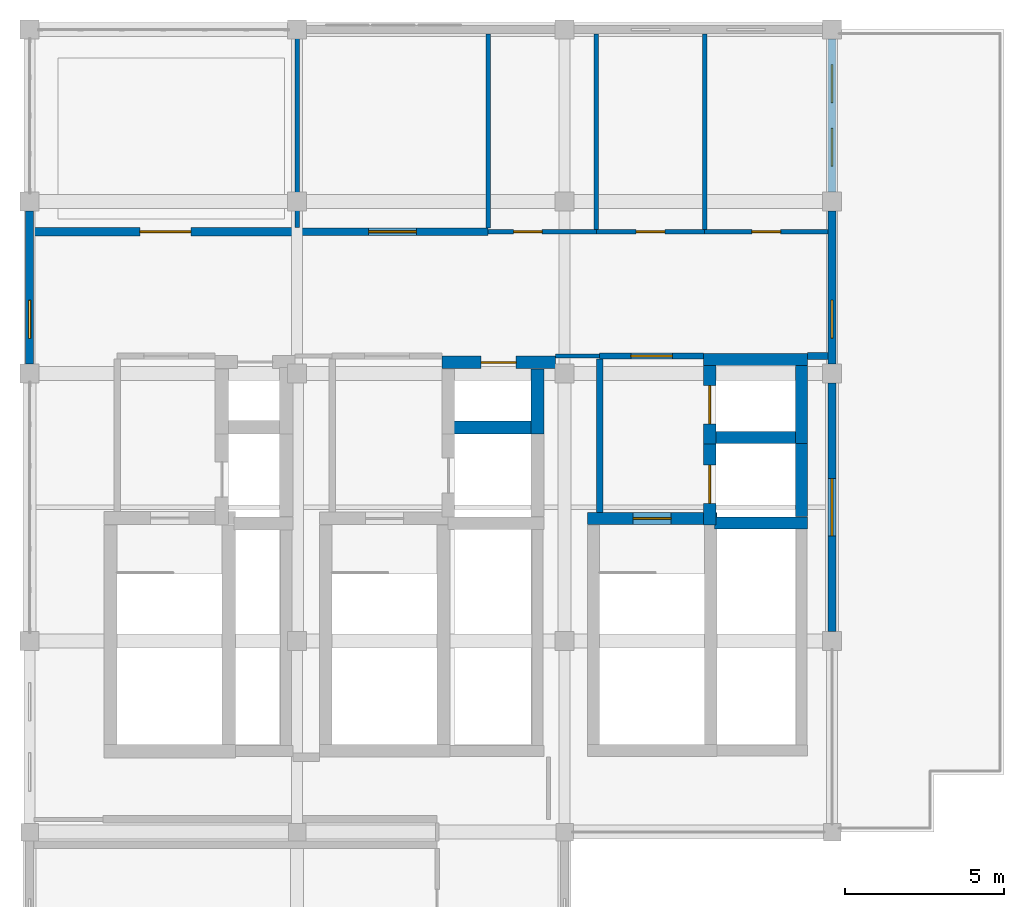
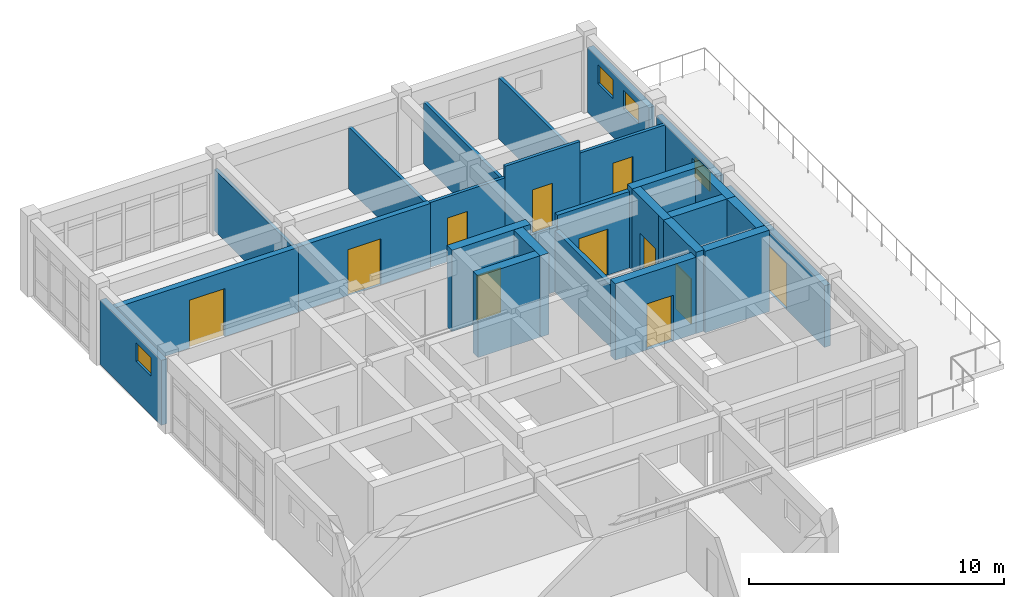
# One storey, part 15 of 17: 28 walls, 11 doors, 4 windows, 15 openings.
"""IFC4 building model written with IfcOpenShell, lengths in metres."""

from ifc_helpers import new_model, si_unit, direction, frame, frame_2d, origin, place, context, subcontext, project, spatial, rectangle, extrude, material, layer, layer_set, type_object, element, fill, save


model = new_model("IFC4")

# Units and contexts
model_context = context("Model", 3, precision=1e-05, world=origin(), true_north=direction((0.0, 1.0)))
body_context = subcontext(model_context, "Body", "Model", "MODEL_VIEW")
ifc_project = project(units=[si_unit("LENGTHUNIT", "METRE"), si_unit("AREAUNIT", "SQUARE_METRE"), si_unit("VOLUMEUNIT", "CUBIC_METRE"), si_unit("PLANEANGLEUNIT", "RADIAN"), si_unit("MASSUNIT", "GRAM", prefix="KILO")], contexts=[model_context])

# Site, building, storey
site_placement = place(None, origin())
site = spatial("IfcSite", under=ifc_project, at=site_placement, CompositionType="ELEMENT")
building_placement = place(site_placement, origin())
building = spatial("IfcBuilding", under=site, at=building_placement, Name="Krzemoval Escarpment Law Courts", CompositionType="ELEMENT")
storey_placement = place(building_placement, frame((0.0, 0.0, 42.0)))
storey = spatial("IfcBuildingStorey", under=building, at=storey_placement, Name="L09", CompositionType="ELEMENT", Elevation=42.0)

# Wall, opening, window
ifc_material_1 = material(Name="Precast concrete C40/50", Category="concrete")
ifc_layer_1 = layer(ifc_material_1, 0.260009765625)
ifc_layer_set_1 = layer_set([ifc_layer_1], Name="Precast concrete C40/50")
wall_type_1 = type_object("IfcWallType", Name="WL-EXT-260", PredefinedType="SOLIDWALL", material=ifc_layer_set_1)
wall_1_placement = place(storey_placement, frame((126.0, 108.300048828125, 0.0), z_axis=(0.0, 0.0, 1.0), x_axis=(0.0, 1.0, 0.0)))
wall_1 = element("IfcWall", 1, at=wall_1_placement, inside=storey, type_object=wall_type_1, Name="Exterior Wall EW-L09-0481", PredefinedType="SOLIDWALL", context=body_context, shape_type="SweptSolid", body=[
    extrude(rectangle(XDim=4.800048828125, YDim=0.260009765625, at=frame_2d((2.39990234375, 0.0))), origin(), (0.0, 0.0, 1.0), 3.110107421875),
])
opening_1_placement = place(wall_1_placement, frame((0.800048828125, 0.0, 1.860107421875)))
opening_1 = element("IfcOpeningElement", 2, at=opening_1_placement, cuts=wall_1, Name="Opening WN-L09-0566", PredefinedType="OPENING", context=body_context, shape_type="SweptSolid", body=[
    extrude(rectangle(XDim=1.199951171875, YDim=0.89990234375, at=frame_2d((0.60009765625, 0.449951171875))), frame((0.0, 0.145, 0.0), z_axis=(0.0, -1.0, 0.0), x_axis=(1.0, 0.0, 0.0)), (0.0, 0.0, 1.0), 0.29001),
])
ifc_material_2 = material(Name="Thermally Broken Aluminium Frame with Triple Low-E Acoustic Glass", Category="aluminium")
window_type = type_object("IfcWindowType", Name="WN-1200x900", PartitioningType="SINGLE_PANEL", PredefinedType="WINDOW", material=ifc_material_2)
window_1_placement = place(opening_1_placement, origin())
window_1 = element("IfcWindow", 3, at=window_1_placement, inside=storey, type_object=window_type, Name="Facade Window WN-L09-0566", OverallHeight=0.89990234375, OverallWidth=1.199951171875, PartitioningType="SINGLE_PANEL", PredefinedType="WINDOW", context=body_context, shape_type="SweptSolid", body=[
    extrude(rectangle(XDim=1.199951171875, YDim=0.89990234375, at=frame_2d((0.60009765625, 0.449951171875))), frame((0.0, 0.030029296875, 0.0), z_axis=(0.0, -1.0, 0.0), x_axis=(1.0, 0.0, 0.0)), (0.0, 0.0, 1.0), 0.06005859375),
])
fill(opening_1, window_1)

# Wall, openings, windows
wall_2_placement = place(storey_placement, frame((151.199951171875, 118.5, 0.0), z_axis=(0.0, 0.0, 1.0), x_axis=(0.0, -1.0, 0.0)))
wall_2 = element("IfcWall", 4, at=wall_2_placement, inside=storey, type_object=wall_type_1, Name="Exterior Wall EW-L09-0484", PredefinedType="SOLIDWALL", context=body_context, shape_type="SweptSolid", body=[
    extrude(rectangle(XDim=4.800048828125, YDim=0.260009765625, at=frame_2d((2.39990234375, 0.0))), origin(), (0.0, 0.0, 1.0), 3.110107421875),
])
opening_2_placement = place(wall_2_placement, frame((0.800048828125, 0.0, 1.860107421875)))
opening_2 = element("IfcOpeningElement", 5, at=opening_2_placement, cuts=wall_2, Name="Opening WN-L09-0569", PredefinedType="OPENING", context=body_context, shape_type="SweptSolid", body=[
    extrude(rectangle(XDim=1.199951171875, YDim=0.89990234375, at=frame_2d((0.60009765625, 0.449951171875))), frame((0.0, 0.145, 0.0), z_axis=(0.0, -1.0, 0.0), x_axis=(1.0, 0.0, 0.0)), (0.0, 0.0, 1.0), 0.29001),
])
opening_3_placement = place(wall_2_placement, frame((2.800048828125, 0.0, 1.860107421875)))
opening_3 = element("IfcOpeningElement", 6, at=opening_3_placement, cuts=wall_2, Name="Opening WN-L09-0570", PredefinedType="OPENING", context=body_context, shape_type="SweptSolid", body=[
    extrude(rectangle(XDim=1.199951171875, YDim=0.89990234375, at=frame_2d((0.60009765625, 0.449951171875))), frame((0.0, 0.145, 0.0), z_axis=(0.0, -1.0, 0.0), x_axis=(1.0, 0.0, 0.0)), (0.0, 0.0, 1.0), 0.29001),
])
window_2_placement = place(opening_2_placement, origin())
window_2 = element("IfcWindow", 7, at=window_2_placement, inside=storey, type_object=window_type, Name="Facade Window WN-L09-0569", OverallHeight=0.89990234375, OverallWidth=1.199951171875, PartitioningType="SINGLE_PANEL", PredefinedType="WINDOW", context=body_context, shape_type="SweptSolid", body=[
    extrude(rectangle(XDim=1.199951171875, YDim=0.89990234375, at=frame_2d((0.60009765625, 0.449951171875))), frame((0.0, 0.030029296875, 0.0), z_axis=(0.0, -1.0, 0.0), x_axis=(1.0, 0.0, 0.0)), (0.0, 0.0, 1.0), 0.06005859375),
])
fill(opening_2, window_2)
window_3_placement = place(opening_3_placement, origin())
window_3 = element("IfcWindow", 8, at=window_3_placement, inside=storey, type_object=window_type, Name="Facade Window WN-L09-0570", OverallHeight=0.89990234375, OverallWidth=1.199951171875, PartitioningType="SINGLE_PANEL", PredefinedType="WINDOW", context=body_context, shape_type="SweptSolid", body=[
    extrude(rectangle(XDim=1.199951171875, YDim=0.89990234375, at=frame_2d((0.60009765625, 0.449951171875))), frame((0.0, 0.030029296875, 0.0), z_axis=(0.0, -1.0, 0.0), x_axis=(1.0, 0.0, 0.0)), (0.0, 0.0, 1.0), 0.06005859375),
])
fill(opening_3, window_3)

# Wall, opening, window
wall_3_placement = place(storey_placement, frame((151.199951171875, 113.10009765625, 0.0), z_axis=(0.0, 0.0, 1.0), x_axis=(0.0, -1.0, 0.0)))
wall_3 = element("IfcWall", 9, at=wall_3_placement, inside=storey, type_object=wall_type_1, Name="Exterior Wall EW-L09-0485", PredefinedType="SOLIDWALL", context=body_context, shape_type="SweptSolid", body=[
    extrude(rectangle(XDim=4.800048828125, YDim=0.260009765625, at=frame_2d((2.39990234375, 0.0))), origin(), (0.0, 0.0, 1.0), 3.110107421875),
])
opening_4_placement = place(wall_3_placement, frame((2.800048828125, 0.0, 1.860107421875)))
opening_4 = element("IfcOpeningElement", 10, at=opening_4_placement, cuts=wall_3, Name="Opening WN-L09-0571", PredefinedType="OPENING", context=body_context, shape_type="SweptSolid", body=[
    extrude(rectangle(XDim=1.199951171875, YDim=0.89990234375, at=frame_2d((0.60009765625, 0.449951171875))), frame((0.0, 0.145, 0.0), z_axis=(0.0, -1.0, 0.0), x_axis=(1.0, 0.0, 0.0)), (0.0, 0.0, 1.0), 0.29001),
])
window_4_placement = place(opening_4_placement, origin())
window_4 = element("IfcWindow", 11, at=window_4_placement, inside=storey, type_object=window_type, Name="Facade Window WN-L09-0571", OverallHeight=0.89990234375, OverallWidth=1.199951171875, PartitioningType="SINGLE_PANEL", PredefinedType="WINDOW", context=body_context, shape_type="SweptSolid", body=[
    extrude(rectangle(XDim=1.199951171875, YDim=0.89990234375, at=frame_2d((0.60009765625, 0.449951171875))), frame((0.0, 0.030029296875, 0.0), z_axis=(0.0, -1.0, 0.0), x_axis=(1.0, 0.0, 0.0)), (0.0, 0.0, 1.0), 0.06005859375),
])
fill(opening_4, window_4)

# Wall, opening, door
wall_4_placement = place(storey_placement, frame((151.199951171875, 107.699951171875, 0.0), z_axis=(0.0, 0.0, 1.0), x_axis=(0.0, -1.0, 0.0)))
wall_4 = element("IfcWall", 12, at=wall_4_placement, inside=storey, type_object=wall_type_1, Name="Exterior Wall EW-L09-0486", PredefinedType="SOLIDWALL", context=body_context, shape_type="SweptSolid", body=[
    extrude(rectangle(XDim=7.800048828125, YDim=0.260009765625, at=frame_2d((3.89990234375, 0.0))), origin(), (0.0, 0.0, 1.0), 2.9599609375),
])
opening_5_placement = place(wall_4_placement, frame((3.0, 0.0, 0.0)))
opening_5 = element("IfcOpeningElement", 13, at=opening_5_placement, cuts=wall_4, Name="Opening TD-L09-27", PredefinedType="OPENING", context=body_context, shape_type="SweptSolid", body=[
    extrude(rectangle(XDim=1.800048828125, YDim=2.199951171875, at=frame_2d((0.89990234375, 1.10009765625))), frame((0.0, 0.145, 0.0), z_axis=(0.0, -1.0, 0.0), x_axis=(1.0, 0.0, 0.0)), (0.0, 0.0, 1.0), 0.29001),
])
ifc_material_3 = material(Name="Thermally Broken Aluminium and Laminated Safety Glass", Category="aluminium")
door_type_1 = type_object("IfcDoorType", Name="DR-TER-1800x2200", OperationType="SINGLE_SWING_LEFT", PredefinedType="DOOR", material=ifc_material_3)
door_1_placement = place(opening_5_placement, origin())
door_1 = element("IfcDoor", 14, at=door_1_placement, inside=storey, type_object=door_type_1, Name="Terrace Access Door TD-L09-27", OperationType="DOUBLE_DOOR_SINGLE_SWING", OverallHeight=2.199951171875, OverallWidth=1.800048828125, PredefinedType="DOOR", context=body_context, shape_type="SweptSolid", body=[
    extrude(rectangle(XDim=1.800048828125, YDim=2.199951171875, at=frame_2d((0.89990234375, 1.10009765625))), frame((0.0, 0.02490234375, 0.0), z_axis=(0.0, -1.0, 0.0), x_axis=(1.0, 0.0, 0.0)), (0.0, 0.0, 1.0), 0.050048828125),
])
fill(opening_5, door_1)

# Wall
ifc_material_4 = material(Name="Light Internal Subdivision Partition", Category="gypsum")
ifc_layer_2 = layer(ifc_material_4, 0.114990234375)
ifc_layer_set_2 = layer_set([ifc_layer_2], Name="Light Internal Subdivision Partition")
wall_type_2 = type_object("IfcWallType", Name="WL-PRT-115", PredefinedType="PARTITIONING", material=ifc_layer_set_2)
wall_5_placement = place(storey_placement, frame((142.509033203125, 108.550048828125, 0.0), z_axis=(0.0, 0.0, 1.0), x_axis=(1.0, 0.0, 0.0)))
element("IfcWall", 15, at=wall_5_placement, inside=storey, type_object=wall_type_2, Name="Interior Partition PW-L09-0750", PredefinedType="PARTITIONING", context=body_context, shape_type="SweptSolid", body=[
    extrude(rectangle(XDim=1.390869140625, YDim=0.114990234375, at=frame_2d((0.6953125, 0.0))), origin(), (0.0, 0.0, 1.0), 3.110107421875),
])

# Wall, opening, door
ifc_material_5 = material(Name="Sanitary Moisture-Resistant Partition", Category="gypsum")
ifc_layer_3 = layer(ifc_material_5, 0.139892578125)
ifc_layer_set_3 = layer_set([ifc_layer_3], Name="Sanitary Moisture-Resistant Partition")
wall_type_3 = type_object("IfcWallType", Name="WL-PRT-140", PredefinedType="PARTITIONING", material=ifc_layer_set_3)
wall_6_placement = place(storey_placement, frame((140.39990234375, 112.449951171875, 0.0), z_axis=(0.0, 0.0, 1.0), x_axis=(1.0, 0.0, 0.0)))
wall_6 = element("IfcWall", 16, at=wall_6_placement, inside=storey, type_object=wall_type_3, Name="Interior Partition PW-L09-0754", PredefinedType="PARTITIONING", context=body_context, shape_type="SweptSolid", body=[
    extrude(rectangle(XDim=3.400146484375, YDim=0.139892578125, at=frame_2d((1.7001953125, 0.0))), origin(), (0.0, 0.0, 1.0), 3.110107421875),
])
opening_6_placement = place(wall_6_placement, frame((0.800048828125, 0.0, 0.0)))
opening_6 = element("IfcOpeningElement", 17, at=opening_6_placement, cuts=wall_6, Name="Opening D-L09-0268", PredefinedType="OPENING", context=body_context, shape_type="SweptSolid", body=[
    extrude(rectangle(XDim=0.89990234375, YDim=2.10009765625, at=frame_2d((0.449951171875, 1.050048828125))), frame((0.0, 0.08495, 0.0), z_axis=(0.0, -1.0, 0.0), x_axis=(1.0, 0.0, 0.0)), (0.0, 0.0, 1.0), 0.16989),
])
ifc_material_6 = material(Name="Engineered Solid-Core Oak Acoustic Timber", Category="wood")
door_type_2 = type_object("IfcDoorType", Name="DR-INT-900x2100", OperationType="SINGLE_SWING_LEFT", PredefinedType="DOOR", material=ifc_material_6)
door_2_placement = place(opening_6_placement, origin())
door_2 = element("IfcDoor", 18, at=door_2_placement, inside=storey, type_object=door_type_2, Name="Room Door D-L09-0268", OperationType="SINGLE_SWING_LEFT", OverallHeight=2.10009765625, OverallWidth=0.89990234375, PredefinedType="DOOR", context=body_context, shape_type="SweptSolid", body=[
    extrude(rectangle(XDim=0.89990234375, YDim=2.10009765625, at=frame_2d((0.449951171875, 1.050048828125))), frame((0.0, 0.02490234375, 0.0), z_axis=(0.0, -1.0, 0.0), x_axis=(1.0, 0.0, 0.0)), (0.0, 0.0, 1.0), 0.050048828125),
])
fill(opening_6, door_2)

wall_7_placement = place(storey_placement, frame((143.800048828125, 112.449951171875, 0.0), z_axis=(0.0, 0.0, 1.0), x_axis=(1.0, 0.0, 0.0)))
wall_7 = element("IfcWall", 19, at=wall_7_placement, inside=storey, type_object=wall_type_3, Name="Interior Partition PW-L09-0755", PredefinedType="PARTITIONING", context=body_context, shape_type="SweptSolid", body=[
    extrude(rectangle(XDim=3.39990234375, YDim=0.139892578125, at=frame_2d((1.699951171875, 0.0))), origin(), (0.0, 0.0, 1.0), 3.659912109375),
])
opening_7_placement = place(wall_7_placement, frame((1.25, 0.0, 0.0)))
opening_7 = element("IfcOpeningElement", 20, at=opening_7_placement, cuts=wall_7, Name="Opening D-L09-0269", PredefinedType="OPENING", context=body_context, shape_type="SweptSolid", body=[
    extrude(rectangle(XDim=0.89990234375, YDim=2.10009765625, at=frame_2d((0.449951171875, 1.050048828125))), frame((0.0, 0.08495, 0.0), z_axis=(0.0, -1.0, 0.0), x_axis=(1.0, 0.0, 0.0)), (0.0, 0.0, 1.0), 0.16989),
])
door_3_placement = place(opening_7_placement, origin())
door_3 = element("IfcDoor", 21, at=door_3_placement, inside=storey, type_object=door_type_2, Name="Room Door D-L09-0269", OperationType="SINGLE_SWING_RIGHT", OverallHeight=2.10009765625, OverallWidth=0.89990234375, PredefinedType="DOOR", context=body_context, shape_type="SweptSolid", body=[
    extrude(rectangle(XDim=0.89990234375, YDim=2.10009765625, at=frame_2d((0.449951171875, 1.050048828125))), frame((0.0, 0.02490234375, 0.0), z_axis=(0.0, -1.0, 0.0), x_axis=(1.0, 0.0, 0.0)), (0.0, 0.0, 1.0), 0.050048828125),
])
fill(opening_7, door_3)

wall_8_placement = place(storey_placement, frame((147.199951171875, 112.449951171875, 0.0), z_axis=(0.0, 0.0, 1.0), x_axis=(1.0, 0.0, 0.0)))
wall_8 = element("IfcWall", 22, at=wall_8_placement, inside=storey, type_object=wall_type_3, Name="Interior Partition PW-L09-0756", PredefinedType="PARTITIONING", context=body_context, shape_type="SweptSolid", body=[
    extrude(rectangle(XDim=3.8681640625, YDim=0.139892578125, at=frame_2d((1.93408203125, 0.0))), origin(), (0.0, 0.0, 1.0), 3.110107421875),
])
opening_8_placement = place(wall_8_placement, frame((1.48388671875, 0.0, 0.0)))
opening_8 = element("IfcOpeningElement", 23, at=opening_8_placement, cuts=wall_8, Name="Opening D-L09-0270", PredefinedType="OPENING", context=body_context, shape_type="SweptSolid", body=[
    extrude(rectangle(XDim=0.89990234375, YDim=2.10009765625, at=frame_2d((0.449951171875, 1.050048828125))), frame((0.0, 0.08495, 0.0), z_axis=(0.0, -1.0, 0.0), x_axis=(1.0, 0.0, 0.0)), (0.0, 0.0, 1.0), 0.16989),
])
door_4_placement = place(opening_8_placement, origin())
door_4 = element("IfcDoor", 24, at=door_4_placement, inside=storey, type_object=door_type_2, Name="Room Door D-L09-0270", OperationType="SINGLE_SWING_LEFT", OverallHeight=2.10009765625, OverallWidth=0.89990234375, PredefinedType="DOOR", context=body_context, shape_type="SweptSolid", body=[
    extrude(rectangle(XDim=0.89990234375, YDim=2.10009765625, at=frame_2d((0.449951171875, 1.050048828125))), frame((0.0, 0.02490234375, 0.0), z_axis=(0.0, -1.0, 0.0), x_axis=(1.0, 0.0, 0.0)), (0.0, 0.0, 1.0), 0.050048828125),
])
fill(opening_8, door_4)

# Walls
wall_9_placement = place(storey_placement, frame((134.39990234375, 112.58203125, 0.0), z_axis=(0.0, 0.0, 1.0), x_axis=(0.0, 1.0, 0.0)))
element("IfcWall", 25, at=wall_9_placement, inside=storey, type_object=wall_type_3, Name="Interior Partition PW-L09-0758", PredefinedType="PARTITIONING", context=body_context, shape_type="SweptSolid", body=[
    extrude(rectangle(XDim=6.2060546875, YDim=0.139892578125, at=frame_2d((3.10302734375, 0.0))), origin(), (0.0, 0.0, 1.0), 2.9599609375),
])
wall_10_placement = place(storey_placement, frame((140.39990234375, 112.572021484375, 0.0), z_axis=(0.0, 0.0, 1.0), x_axis=(0.0, 1.0, 0.0)))
element("IfcWall", 26, at=wall_10_placement, inside=storey, type_object=wall_type_3, Name="Interior Partition PW-L09-0763", PredefinedType="PARTITIONING", context=body_context, shape_type="SweptSolid", body=[
    extrude(rectangle(XDim=6.095947265625, YDim=0.139892578125, at=frame_2d((3.0478515625, 0.0))), origin(), (0.0, 0.0, 1.0), 2.9599609375),
])
for number, where, z_axis, x_axis, name in (
    (27, (143.800048828125, 112.52197265625, 0.0), (0.0, 0.0, 1.0), (0.0, 1.0, 0.0), "Interior Partition PW-L09-0765"),
    (28, (147.199951171875, 112.52197265625, 0.0), (0.0, 0.0, 1.0), (0.0, 1.0, 0.0), "Interior Partition PW-L09-0767"),
):
    element("IfcWall", number, at=place(storey_placement, frame(where, z_axis=z_axis, x_axis=x_axis)), inside=storey, type_object=wall_type_3, Name=name, PredefinedType="PARTITIONING", context=body_context, shape_type="SweptSolid", body=[
        extrude(rectangle(XDim=6.14599609375, YDim=0.139892578125, at=frame_2d((3.072998046875, 0.0))), origin(), (0.0, 0.0, 1.0), 2.9599609375),
    ])

# Wall, opening, door
ifc_material_7 = material(Name="Fire-Rated Corridor Partition Wall", Category="gypsum")
ifc_layer_4 = layer(ifc_material_7, 0.199951171875)
ifc_layer_set_4 = layer_set([ifc_layer_4], Name="Fire-Rated Corridor Partition Wall")
wall_type_4 = type_object("IfcWallType", Name="WL-PRT-200", PredefinedType="PARTITIONING", material=ifc_layer_set_4)
wall_11_placement = place(storey_placement, frame((143.89990234375, 108.550048828125, 0.0), z_axis=(0.0, 0.0, 1.0), x_axis=(1.0, 0.0, 0.0)))
wall_11 = element("IfcWall", 29, at=wall_11_placement, inside=storey, type_object=wall_type_4, Name="Interior Partition PW-L09-0748", PredefinedType="PARTITIONING", context=body_context, shape_type="SweptSolid", body=[
    extrude(rectangle(XDim=3.27001953125, YDim=0.199951171875, at=frame_2d((1.635009765625, 0.0))), origin(), (0.0, 0.0, 1.0), 3.659912109375),
])
opening_9_placement = place(wall_11_placement, frame((0.985107421875, 0.0, 0.0)))
opening_9 = element("IfcOpeningElement", 30, at=opening_9_placement, cuts=wall_11, Name="Opening D-L09-0263", PredefinedType="OPENING", context=body_context, shape_type="SweptSolid", body=[
    extrude(rectangle(XDim=1.300048828125, YDim=2.199951171875, at=frame_2d((0.64990234375, 1.10009765625))), frame((0.0, 0.11498, 0.0), z_axis=(0.0, -1.0, 0.0), x_axis=(1.0, 0.0, 0.0)), (0.0, 0.0, 1.0), 0.22995),
])
ifc_material_8 = material(Name="Galvanised Steel S355", Category="steel")
door_type_3 = type_object("IfcDoorType", Name="DR-STR-1300x2200", OperationType="SINGLE_SWING_LEFT", PredefinedType="DOOR", material=ifc_material_8)
door_5_placement = place(opening_9_placement, origin())
door_5 = element("IfcDoor", 31, at=door_5_placement, inside=storey, type_object=door_type_3, Name="Room Door D-L09-0263", OperationType="SINGLE_SWING_RIGHT", OverallHeight=2.199951171875, OverallWidth=1.300048828125, PredefinedType="DOOR", context=body_context, shape_type="SweptSolid", body=[
    extrude(rectangle(XDim=1.300048828125, YDim=2.199951171875, at=frame_2d((0.64990234375, 1.10009765625))), frame((0.0, 0.02490234375, 0.0), z_axis=(0.0, -1.0, 0.0), x_axis=(1.0, 0.0, 0.0)), (0.0, 0.0, 1.0), 0.050048828125),
])
fill(opening_9, door_5)

# Walls
wall_12_placement = place(storey_placement, frame((143.89990234375, 103.632080078125, 0.0), z_axis=(0.0, 0.0, 1.0), x_axis=(0.0, 1.0, 0.0)))
element("IfcWall", 32, at=wall_12_placement, inside=storey, type_object=wall_type_4, Name="Interior Partition PW-L09-0766", PredefinedType="PARTITIONING", context=body_context, shape_type="SweptSolid", body=[
    extrude(rectangle(XDim=4.81591796875, YDim=0.199951171875, at=frame_2d((2.407958984375, 0.0))), origin(), (0.0, 0.0, 1.0), 2.9599609375),
])
ifc_material_9 = material(Name="Acoustic Calcium-Silicate Block Wall", Category="masonry")
ifc_layer_5 = layer(ifc_material_9, 0.22998046875)
ifc_layer_set_5 = layer_set([ifc_layer_5], Name="Acoustic Calcium-Silicate Block Wall")
wall_type_5 = type_object("IfcWallType", Name="WL-PRT-230", PredefinedType="SOLIDWALL", material=ifc_layer_set_5)
wall_13_placement = place(storey_placement, frame((150.429931640625, 108.550048828125, 0.0), z_axis=(0.0, 0.0, 1.0), x_axis=(1.0, 0.0, 0.0)))
element("IfcWall", 33, at=wall_13_placement, inside=storey, type_object=wall_type_5, Name="Interior Partition PW-L09-0751", PredefinedType="SOLIDWALL", context=body_context, shape_type="SweptSolid", body=[
    extrude(rectangle(XDim=0.63818359375, YDim=0.22998046875, at=frame_2d((0.319091796875, 0.0))), origin(), (0.0, 0.0, 1.0), 3.110107421875),
])

# Wall, opening, door
ifc_material_10 = material(Name="Acoustic Courtroom Partition Assembly", Category="gypsum")
ifc_layer_6 = layer(ifc_material_10, 0.239990234375)
ifc_layer_set_6 = layer_set([ifc_layer_6], Name="Acoustic Courtroom Partition Assembly")
wall_type_6 = type_object("IfcWallType", Name="WL-PRT-240", PredefinedType="PARTITIONING", material=ifc_layer_set_6)
wall_14_placement = place(storey_placement, frame((134.39990234375, 112.449951171875, 0.0), z_axis=(0.0, 0.0, 1.0), x_axis=(1.0, 0.0, 0.0)))
wall_14 = element("IfcWall", 34, at=wall_14_placement, inside=storey, type_object=wall_type_6, Name="Interior Partition PW-L09-0753", PredefinedType="PARTITIONING", context=body_context, shape_type="SweptSolid", body=[
    extrude(rectangle(XDim=6.0, YDim=0.239990234375, at=frame_2d((3.0, 0.0))), origin(), (0.0, 0.0, 1.0), 3.110107421875),
])
opening_10_placement = place(wall_14_placement, frame((2.25, 0.0, 0.0)))
opening_10 = element("IfcOpeningElement", 35, at=opening_10_placement, cuts=wall_14, Name="Opening D-L09-0267", PredefinedType="OPENING", context=body_context, shape_type="SweptSolid", body=[
    extrude(rectangle(XDim=1.5, YDim=2.199951171875, at=frame_2d((0.75, 1.10009765625))), frame((0.0, 0.135, 0.0), z_axis=(0.0, -1.0, 0.0), x_axis=(1.0, 0.0, 0.0)), (0.0, 0.0, 1.0), 0.26999),
])
ifc_material_11 = material(Name="Engineered Solid-Core Oak Acoustic Timber", Category="wood")
door_type_4 = type_object("IfcDoorType", Name="DR-INT-1500x2200", OperationType="SINGLE_SWING_LEFT", PredefinedType="DOOR", material=ifc_material_11)
door_6_placement = place(opening_10_placement, origin())
door_6 = element("IfcDoor", 36, at=door_6_placement, inside=storey, type_object=door_type_4, Name="Room Door D-L09-0267", OperationType="SINGLE_SWING_LEFT", OverallHeight=2.199951171875, OverallWidth=1.5, PredefinedType="DOOR", context=body_context, shape_type="SweptSolid", body=[
    extrude(rectangle(XDim=1.5, YDim=2.199951171875, at=frame_2d((0.75, 1.10009765625))), frame((0.0, 0.02490234375, 0.0), z_axis=(0.0, -1.0, 0.0), x_axis=(1.0, 0.0, 0.0)), (0.0, 0.0, 1.0), 0.050048828125),
])
fill(opening_10, door_6)

ifc_material_12 = material(Name="Acoustic Double-Stud Gypsum and Mineral Wool Wall", Category="gypsum")
ifc_layer_7 = layer(ifc_material_12, 0.260009765625)
ifc_layer_set_7 = layer_set([ifc_layer_7], Name="Acoustic Double-Stud Gypsum and Mineral Wool Wall")
wall_type_7 = type_object("IfcWallType", Name="WL-PRT-260", PredefinedType="PARTITIONING", material=ifc_layer_set_7)
wall_15_placement = place(storey_placement, frame((126.132080078125, 112.449951171875, 0.0), z_axis=(0.0, 0.0, 1.0), x_axis=(1.0, 0.0, 0.0)))
wall_15 = element("IfcWall", 37, at=wall_15_placement, inside=storey, type_object=wall_type_7, Name="Interior Partition PW-L09-0752", PredefinedType="PARTITIONING", context=body_context, shape_type="SweptSolid", body=[
    extrude(rectangle(XDim=8.267822265625, YDim=0.260009765625, at=frame_2d((4.1337890625, 0.0))), origin(), (0.0, 0.0, 1.0), 3.110107421875),
])
opening_11_placement = place(wall_15_placement, frame((3.333984375, 0.0, 0.0)))
opening_11 = element("IfcOpeningElement", 38, at=opening_11_placement, cuts=wall_15, Name="Opening D-L09-0266", PredefinedType="OPENING", context=body_context, shape_type="SweptSolid", body=[
    extrude(rectangle(XDim=1.60009765625, YDim=2.300048828125, at=frame_2d((0.800048828125, 1.14990234375))), frame((0.0, 0.145, 0.0), z_axis=(0.0, -1.0, 0.0), x_axis=(1.0, 0.0, 0.0)), (0.0, 0.0, 1.0), 0.29001),
])
ifc_material_13 = material(Name="Engineered Solid-Core Oak Acoustic Timber", Category="wood")
door_type_5 = type_object("IfcDoorType", Name="DR-CRT-1600x2300", OperationType="SINGLE_SWING_LEFT", PredefinedType="DOOR", material=ifc_material_13)
door_7_placement = place(opening_11_placement, origin())
door_7 = element("IfcDoor", 39, at=door_7_placement, inside=storey, type_object=door_type_5, Name="Room Door D-L09-0266", OperationType="SINGLE_SWING_LEFT", OverallHeight=2.300048828125, OverallWidth=1.60009765625, PredefinedType="DOOR", context=body_context, shape_type="SweptSolid", body=[
    extrude(rectangle(XDim=1.60009765625, YDim=2.300048828125, at=frame_2d((0.800048828125, 1.14990234375))), frame((0.0, 0.02490234375, 0.0), z_axis=(0.0, -1.0, 0.0), x_axis=(1.0, 0.0, 0.0)), (0.0, 0.0, 1.0), 0.050048828125),
])
fill(opening_11, door_7)

ifc_material_14 = material(Name="Concrete C40/50", Category="concrete")
ifc_layer_8 = layer(ifc_material_14, 0.3798828125)
ifc_layer_set_8 = layer_set([ifc_layer_8], Name="Concrete C40/50")
wall_type_8 = type_object("IfcWallType", Name="WL-SHW-380", PredefinedType="SHEAR", material=ifc_layer_set_8)
wall_16_placement = place(storey_placement, frame((143.52001953125, 103.43994140625, 0.0), z_axis=(0.0, 0.0, 1.0), x_axis=(1.0, 0.0, 0.0)))
wall_16 = element("IfcWall", 40, at=wall_16_placement, inside=storey, type_object=wall_type_8, Name="Core Stair Shear Wall SW-L09-0431", PredefinedType="SHEAR", context=body_context, shape_type="SweptSolid", body=[
    extrude(rectangle(XDim=4.06005859375, YDim=0.3798828125, at=frame_2d((2.030029296875, 0.0))), origin(), (0.0, 0.0, 1.0), 3.659912109375),
])
opening_12_placement = place(wall_16_placement, frame((1.429931640625, 0.0, 0.0)))
opening_12 = element("IfcOpeningElement", 41, at=opening_12_placement, cuts=wall_16, Name="Opening SD-ST3-L09", PredefinedType="OPENING", context=body_context, shape_type="SweptSolid", body=[
    extrude(rectangle(XDim=1.199951171875, YDim=2.199951171875, at=frame_2d((0.60009765625, 1.10009765625))), frame((0.0, 0.20494, 0.0), z_axis=(0.0, -1.0, 0.0), x_axis=(1.0, 0.0, 0.0)), (0.0, 0.0, 1.0), 0.40988),
])
ifc_material_15 = material(Name="Galvanised Steel S355", Category="steel")
door_type_6 = type_object("IfcDoorType", Name="DR-STR-1200x2200", OperationType="SINGLE_SWING_LEFT", PredefinedType="DOOR", material=ifc_material_15)
door_8_placement = place(opening_12_placement, origin())
door_8 = element("IfcDoor", 42, at=door_8_placement, inside=storey, type_object=door_type_6, Name="Stair Exit Door SD-ST3-L09", OperationType="SINGLE_SWING_RIGHT", OverallHeight=2.199951171875, OverallWidth=1.199951171875, PredefinedType="DOOR", context=body_context, shape_type="SweptSolid", body=[
    extrude(rectangle(XDim=1.199951171875, YDim=2.199951171875, at=frame_2d((0.60009765625, 1.10009765625))), frame((0.0, 0.02490234375, 0.0), z_axis=(0.0, -1.0, 0.0), x_axis=(1.0, 0.0, 0.0)), (0.0, 0.0, 1.0), 0.050048828125),
])
fill(opening_12, door_8)

# Walls
wall_17_placement = place(storey_placement, frame((147.512939453125, 103.31005859375, 0.0), z_axis=(0.0, 0.0, 1.0), x_axis=(1.0, 0.0, 0.0)))
element("IfcWall", 43, at=wall_17_placement, inside=storey, type_object=wall_type_8, Name="Lift Shaft Shear Wall SW-L09-0435", PredefinedType="SHEAR", context=body_context, shape_type="SweptSolid", body=[
    extrude(rectangle(XDim=2.9169921875, YDim=0.3798828125, at=frame_2d((1.45849609375, 0.0))), origin(), (0.0, 0.0, 1.0), 3.89990234375),
])
wall_18_placement = place(storey_placement, frame((147.169921875, 105.989990234375, 0.0), z_axis=(0.0, 0.0, 1.0), x_axis=(1.0, 0.0, 0.0)))
element("IfcWall", 44, at=wall_18_placement, inside=storey, type_object=wall_type_8, Name="Lift Shaft Shear Wall SW-L09-0436", PredefinedType="SHEAR", context=body_context, shape_type="SweptSolid", body=[
    extrude(rectangle(XDim=3.260009765625, YDim=0.3798828125, at=frame_2d((1.6298828125, 0.0))), origin(), (0.0, 0.0, 1.0), 3.89990234375),
])

# Wall, opening, door
wall_19_placement = place(storey_placement, frame((147.360107421875, 103.242919921875, 0.0), z_axis=(0.0, 0.0, 1.0), x_axis=(0.0, 1.0, 0.0)))
wall_19 = element("IfcWall", 45, at=wall_19_placement, inside=storey, type_object=wall_type_8, Name="Lift Shaft Shear Wall SW-L09-0437", PredefinedType="SHEAR", context=body_context, shape_type="SweptSolid", body=[
    extrude(rectangle(XDim=2.55517578125, YDim=0.3798828125, at=frame_2d((1.277587890625, 0.0))), origin(), (0.0, 0.0, 1.0), 3.89990234375),
])
opening_13_placement = place(wall_19_placement, frame((0.677978515625, 0.0, 0.0)))
opening_13 = element("IfcOpeningElement", 46, at=opening_13_placement, cuts=wall_19, Name="Opening LD-PL1-L09", PredefinedType="OPENING", context=body_context, shape_type="SweptSolid", body=[
    extrude(rectangle(XDim=1.199951171875, YDim=2.14990234375, at=frame_2d((0.60009765625, 1.074951171875))), frame((0.0, 0.20494, 0.0), z_axis=(0.0, -1.0, 0.0), x_axis=(1.0, 0.0, 0.0)), (0.0, 0.0, 1.0), 0.40988),
])
ifc_material_16 = material(Name="Engineered Solid-Core Oak Acoustic Timber", Category="wood")
door_type_7 = type_object("IfcDoorType", Name="DR-LFT-1200x2150", OperationType="SINGLE_SWING_LEFT", PredefinedType="DOOR", material=ifc_material_16)
door_9_placement = place(opening_13_placement, origin())
door_9 = element("IfcDoor", 47, at=door_9_placement, inside=storey, type_object=door_type_7, Name="Lift Landing Door LD-PL1-L09", OperationType="DOUBLE_DOOR_SLIDING", OverallHeight=2.14990234375, OverallWidth=1.199951171875, PredefinedType="DOOR", context=body_context, shape_type="SweptSolid", body=[
    extrude(rectangle(XDim=1.199951171875, YDim=2.14990234375, at=frame_2d((0.60009765625, 1.074951171875))), frame((0.0, 0.02490234375, 0.0), z_axis=(0.0, -1.0, 0.0), x_axis=(1.0, 0.0, 0.0)), (0.0, 0.0, 1.0), 0.050048828125),
])
fill(opening_13, door_9)

# Walls
wall_20_placement = place(storey_placement, frame((150.239990234375, 103.501953125, 0.0), z_axis=(0.0, 0.0, 1.0), x_axis=(0.0, 1.0, 0.0)))
element("IfcWall", 48, at=wall_20_placement, inside=storey, type_object=wall_type_8, Name="Lift Shaft Shear Wall SW-L09-0438", PredefinedType="SHEAR", context=body_context, shape_type="SweptSolid", body=[
    extrude(rectangle(XDim=2.296142578125, YDim=0.3798828125, at=frame_2d((1.14794921875, 0.0))), origin(), (0.0, 0.0, 1.0), 3.89990234375),
])
wall_21_placement = place(storey_placement, frame((147.169921875, 108.43994140625, 0.0), z_axis=(0.0, 0.0, 1.0), x_axis=(1.0, 0.0, 0.0)))
element("IfcWall", 49, at=wall_21_placement, inside=storey, type_object=wall_type_8, Name="Lift Shaft Shear Wall SW-L09-0439", PredefinedType="SHEAR", context=body_context, shape_type="SweptSolid", body=[
    extrude(rectangle(XDim=3.260009765625, YDim=0.3798828125, at=frame_2d((1.6298828125, 0.0))), origin(), (0.0, 0.0, 1.0), 3.89990234375),
])

# Wall, opening, door
wall_22_placement = place(storey_placement, frame((147.360107421875, 105.79296875, 0.0), z_axis=(0.0, 0.0, 1.0), x_axis=(0.0, 1.0, 0.0)))
wall_22 = element("IfcWall", 50, at=wall_22_placement, inside=storey, type_object=wall_type_8, Name="Lift Shaft Shear Wall SW-L09-0440", PredefinedType="SHEAR", context=body_context, shape_type="SweptSolid", body=[
    extrude(rectangle(XDim=2.455078125, YDim=0.3798828125, at=frame_2d((1.2275390625, 0.0))), origin(), (0.0, 0.0, 1.0), 3.89990234375),
])
opening_14_placement = place(wall_22_placement, frame((0.626953125, 0.0, 0.0)))
opening_14 = element("IfcOpeningElement", 51, at=opening_14_placement, cuts=wall_22, Name="Opening LD-PL2-L09", PredefinedType="OPENING", context=body_context, shape_type="SweptSolid", body=[
    extrude(rectangle(XDim=1.199951171875, YDim=2.14990234375, at=frame_2d((0.60009765625, 1.074951171875))), frame((0.0, 0.20494, 0.0), z_axis=(0.0, -1.0, 0.0), x_axis=(1.0, 0.0, 0.0)), (0.0, 0.0, 1.0), 0.40988),
])
door_10_placement = place(opening_14_placement, origin())
door_10 = element("IfcDoor", 52, at=door_10_placement, inside=storey, type_object=door_type_7, Name="Lift Landing Door LD-PL2-L09", OperationType="DOUBLE_DOOR_SLIDING", OverallHeight=2.14990234375, OverallWidth=1.199951171875, PredefinedType="DOOR", context=body_context, shape_type="SweptSolid", body=[
    extrude(rectangle(XDim=1.199951171875, YDim=2.14990234375, at=frame_2d((0.60009765625, 1.074951171875))), frame((0.0, 0.02490234375, 0.0), z_axis=(0.0, -1.0, 0.0), x_axis=(1.0, 0.0, 0.0)), (0.0, 0.0, 1.0), 0.050048828125),
])
fill(opening_14, door_10)

# Walls
wall_23_placement = place(storey_placement, frame((150.239990234375, 105.79296875, 0.0), z_axis=(0.0, 0.0, 1.0), x_axis=(0.0, 1.0, 0.0)))
element("IfcWall", 53, at=wall_23_placement, inside=storey, type_object=wall_type_8, Name="Lift Shaft Shear Wall SW-L09-0441", PredefinedType="SHEAR", context=body_context, shape_type="SweptSolid", body=[
    extrude(rectangle(XDim=2.455078125, YDim=0.3798828125, at=frame_2d((1.2275390625, 0.0))), origin(), (0.0, 0.0, 1.0), 3.89990234375),
])
ifc_material_17 = material(Name="Concrete C40/50", Category="concrete")
ifc_layer_9 = layer(ifc_material_17, 0.39990234375)
ifc_layer_set_9 = layer_set([ifc_layer_9], Name="Concrete C40/50")
wall_type_9 = type_object("IfcWallType", Name="WL-SHW-400", PredefinedType="SHEAR", material=ifc_layer_set_9)
wall_24_placement = place(storey_placement, frame((138.949951171875, 106.300048828125, 0.0), z_axis=(0.0, 0.0, 1.0), x_axis=(1.0, 0.0, 0.0)))
element("IfcWall", 54, at=wall_24_placement, inside=storey, type_object=wall_type_9, Name="Lift Shaft Shear Wall SW-L09-0286", PredefinedType="SHEAR", context=body_context, shape_type="SweptSolid", body=[
    extrude(rectangle(XDim=3.199951171875, YDim=0.39990234375, at=frame_2d((1.60009765625, 0.0))), origin(), (0.0, 0.0, 1.0), 3.89990234375),
])

# Wall, opening, door
wall_25_placement = place(storey_placement, frame((138.949951171875, 108.35009765625, 0.0), z_axis=(0.0, 0.0, 1.0), x_axis=(1.0, 0.0, 0.0)))
wall_25 = element("IfcWall", 55, at=wall_25_placement, inside=storey, type_object=wall_type_9, Name="Lift Shaft Shear Wall SW-L09-0289", PredefinedType="SHEAR", context=body_context, shape_type="SweptSolid", body=[
    extrude(rectangle(XDim=3.55908203125, YDim=0.39990234375, at=frame_2d((1.779541015625, 0.0))), origin(), (0.0, 0.0, 1.0), 3.89990234375),
])
opening_15_placement = place(wall_25_placement, frame((1.22900390625, 0.0, 0.0)))
opening_15 = element("IfcOpeningElement", 56, at=opening_15_placement, cuts=wall_25, Name="Opening LD-JL2-L09", PredefinedType="OPENING", context=body_context, shape_type="SweptSolid", body=[
    extrude(rectangle(XDim=1.10009765625, YDim=2.14990234375, at=frame_2d((0.550048828125, 1.074951171875))), frame((0.0, 0.21495, 0.0), z_axis=(0.0, -1.0, 0.0), x_axis=(1.0, 0.0, 0.0)), (0.0, 0.0, 1.0), 0.4299),
])
ifc_material_18 = material(Name="Stainless Steel Grade 304", Category="steel")
door_type_8 = type_object("IfcDoorType", Name="DR-LFT-1100x2150", OperationType="SINGLE_SWING_LEFT", PredefinedType="DOOR", material=ifc_material_18)
door_11_placement = place(opening_15_placement, origin())
door_11 = element("IfcDoor", 57, at=door_11_placement, inside=storey, type_object=door_type_8, Name="Lift Landing Door LD-JL2-L09", OperationType="DOUBLE_DOOR_SLIDING", OverallHeight=2.14990234375, OverallWidth=1.10009765625, PredefinedType="DOOR", context=body_context, shape_type="SweptSolid", body=[
    extrude(rectangle(XDim=1.10009765625, YDim=2.14990234375, at=frame_2d((0.550048828125, 1.074951171875))), frame((0.0, 0.02490234375, 0.0), z_axis=(0.0, -1.0, 0.0), x_axis=(1.0, 0.0, 0.0)), (0.0, 0.0, 1.0), 0.050048828125),
])
fill(opening_15, door_11)

# Wall
wall_26_placement = place(storey_placement, frame((141.949951171875, 106.093017578125, 0.0), z_axis=(0.0, 0.0, 1.0), x_axis=(0.0, 1.0, 0.0)))
element("IfcWall", 58, at=wall_26_placement, inside=storey, type_object=wall_type_9, Name="Lift Shaft Shear Wall SW-L09-0291", PredefinedType="SHEAR", context=body_context, shape_type="SweptSolid", body=[
    extrude(rectangle(XDim=2.054931640625, YDim=0.39990234375, at=frame_2d((1.02734375, 0.0))), origin(), (0.0, 0.0, 1.0), 3.89990234375),
])

save(model, "model.ifc")
